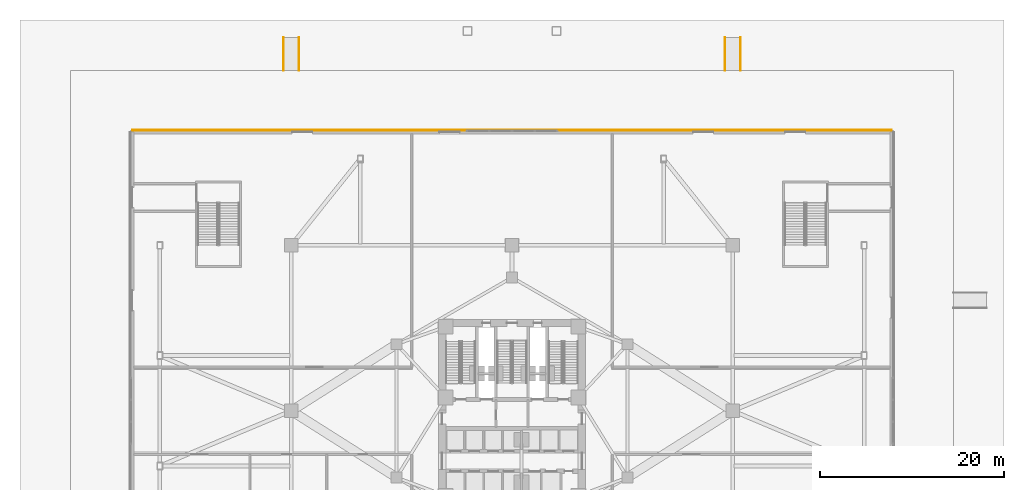
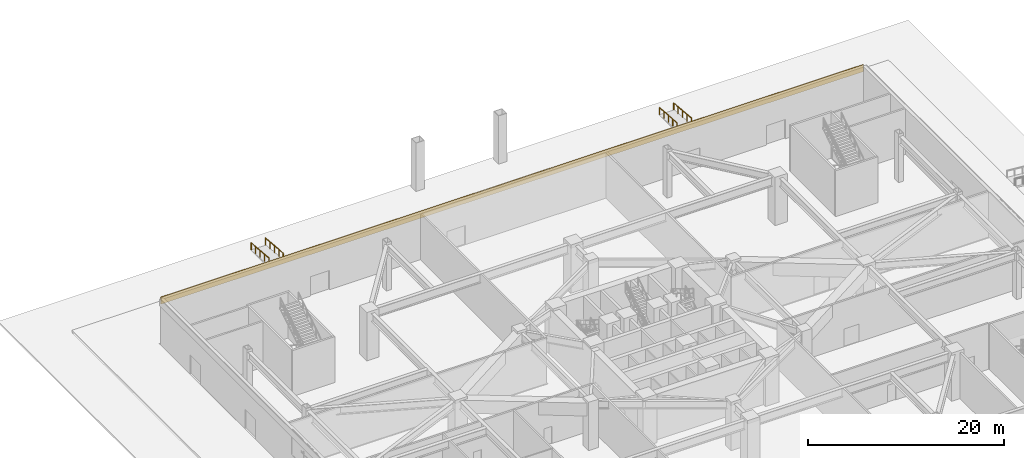
# One storey, part 23 of 24: 4 railings, 1 covering.
"""IFC4 building model written with IfcOpenShell, lengths in metres."""

from ifc_helpers import new_model, si_unit, direction, frame, origin, origin_2d, place, context, subcontext, project, spatial, polyline, rectangle, outline, extrude, material, layer, layer_set, type_object, element, save


model = new_model("IFC4")

# Units and contexts
model_context = context("Model", 3, precision=1e-05, world=origin(), true_north=direction((0.0, 1.0)))
body_context = subcontext(model_context, "Body", "Model", "MODEL_VIEW")
ifc_project = project(units=[si_unit("LENGTHUNIT", "METRE"), si_unit("AREAUNIT", "SQUARE_METRE"), si_unit("VOLUMEUNIT", "CUBIC_METRE"), si_unit("PLANEANGLEUNIT", "RADIAN"), si_unit("MASSUNIT", "GRAM", prefix="KILO")], contexts=[model_context])

# Site, building, storey
site_placement = place(None, origin())
site = spatial("IfcSite", under=ifc_project, at=site_placement, CompositionType="ELEMENT")
building_placement = place(site_placement, origin())
building = spatial("IfcBuilding", under=site, at=building_placement, Name="Apsidion Concourse Tower", CompositionType="ELEMENT")
storey_placement = place(building_placement, origin())
storey = spatial("IfcBuildingStorey", under=building, at=storey_placement, Name="L00", CompositionType="ELEMENT", Elevation=0.0)

# Covering
ifc_material_1 = material(Name="Reconstituted limestone facade cladding", Category="masonry")
ifc_layer = layer(ifc_material_1, 0.080078125)
ifc_layer_set = layer_set([ifc_layer], Name="Reconstituted limestone facade cladding")
covering_type = type_object("IfcCoveringType", Name="COV-CLAD-80", PredefinedType="CLADDING", material=ifc_layer_set)
covering_placement = place(storey_placement, frame((0.0, 0.0, 4.85009765625)))
element("IfcCovering", 1, at=covering_placement, inside=storey, type_object=covering_type, Name="L00 Limestone Spandrel Cladding N", PredefinedType="CLADDING", context=body_context, shape_type="SweptSolid", body=[
    extrude(outline(polyline([(-41.300048828125, 30.47998046875), (41.300048828125, 30.47998046875), (41.300048828125, 30.56005859375), (-41.300048828125, 30.56005859375), (-41.300048828125, 30.47998046875)])), origin(), (0.0, 0.0, 1.0), 0.849853515625),
])

# Railings
ifc_material_2 = material(Name="Brushed stainless steel 316", Category="steel")
railing_type = type_object("IfcRailingType", Name="RL-HAND-900", PredefinedType="HANDRAIL", material=ifc_material_2)
for number, where, name in (
    (2, (-24.840087890625, 40.60009765625, -0.300048828125), "Pedestrian North-West Concourse Accessible Ramp Handrail 1"),
    (3, (-23.159912109375, 40.60009765625, -0.300048828125), "Pedestrian North-West Concourse Accessible Ramp Handrail 2"),
    (4, (23.159912109375, 40.60009765625, -0.300048828125), "Pedestrian North-East Concourse Accessible Ramp Handrail 1"),
    (5, (24.840087890625, 40.60009765625, -0.300048828125), "Pedestrian North-East Concourse Accessible Ramp Handrail 2"),
):
    element("IfcRailing", number, at=place(storey_placement, frame(where)), inside=storey, type_object=railing_type, Name=name, PredefinedType="HANDRAIL", context=body_context, shape_type="SweptSolid", body=[
        extrude(rectangle(XDim=0.048095703125, YDim=0.048095703125, at=origin_2d()), frame((0.0, 0.0, 0.8759765625), z_axis=(0.0, -0.996544826035, 0.083056665618), x_axis=(1.0, 0.0, 0.0)), (0.0, 0.0, 1.0), 3.612548828125),
        extrude(rectangle(XDim=0.0419921875, YDim=0.0419921875, at=origin_2d()), origin(), (0.0, 0.0, 1.0), 0.851806640625),
        extrude(rectangle(XDim=0.0419921875, YDim=0.0419921875, at=origin_2d()), frame((0.0, -0.89990234375, 0.074951171875)), (0.0, 0.0, 1.0), 0.851806640625),
        extrude(rectangle(XDim=0.0419921875, YDim=0.0419921875, at=origin_2d()), frame((0.0, -1.800048828125, 0.14990234375)), (0.0, 0.0, 1.0), 0.851806640625),
        extrude(rectangle(XDim=0.0419921875, YDim=0.0419921875, at=origin_2d()), frame((0.0, -2.7001953125, 0.22509765625)), (0.0, 0.0, 1.0), 0.851806640625),
        extrude(rectangle(XDim=0.0419921875, YDim=0.0419921875, at=origin_2d()), frame((0.0, -3.60009765625, 0.300048828125)), (0.0, 0.0, 1.0), 0.851806640625),
    ])

save(model, "model.ifc")
